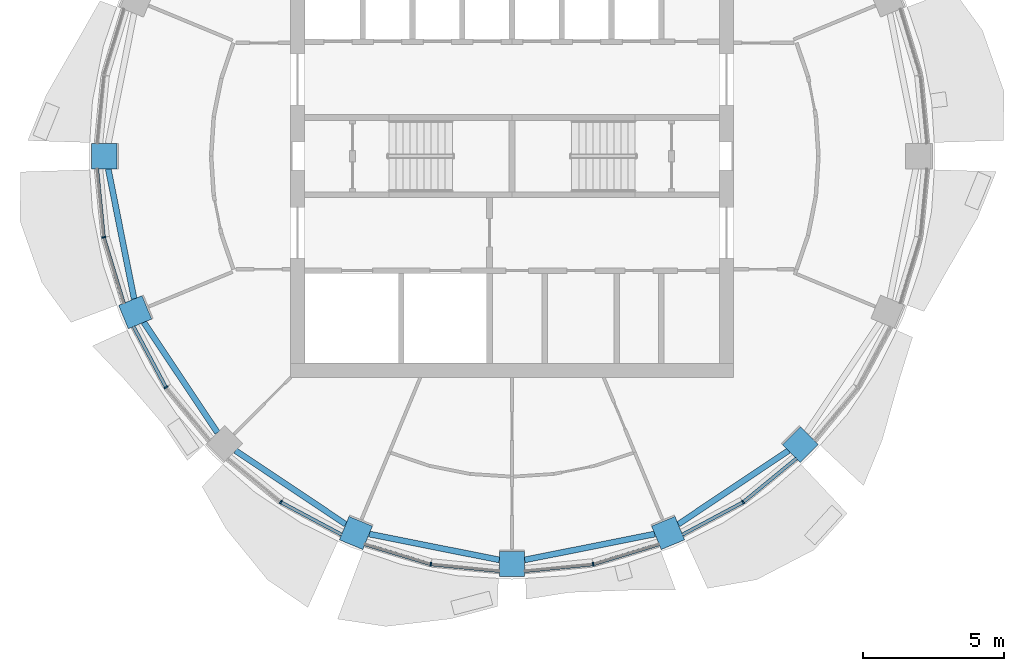
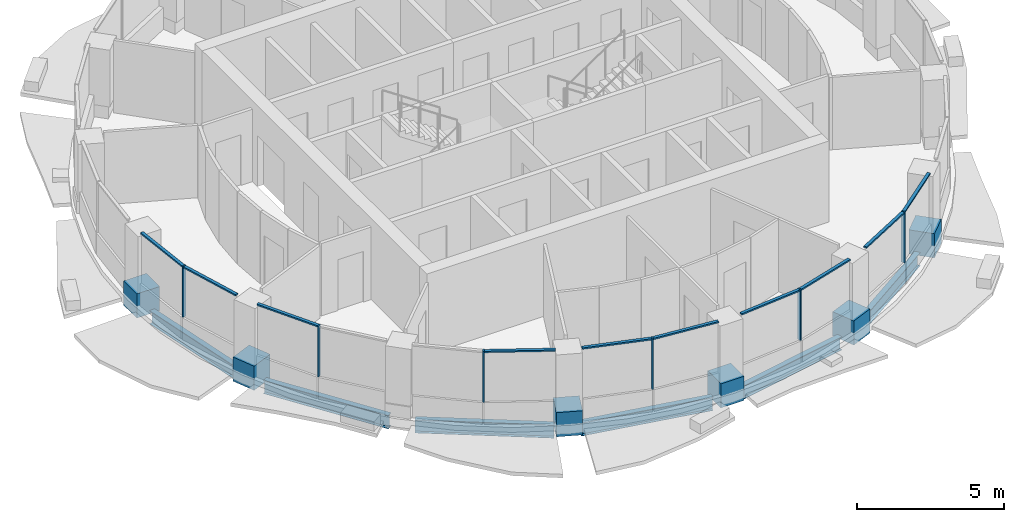
# One storey, part 2 of 14: 22 members, 6 beams, 6 elements without a shape of their own.
"""IFC4 building model written with IfcOpenShell, lengths in metres."""

from ifc_helpers import new_model, si_unit, direction, frame, origin, origin_2d, place, context, subcontext, project, spatial, rectangle, i_section, extrude, material, material_profile, profile_set, type_object, element, aggregate, save


model = new_model("IFC4")

# Units and contexts
model_context = context("Model", 3, precision=1e-05, world=origin(), true_north=direction((0.0, 1.0)))
body_context = subcontext(model_context, "Body", "Model", "MODEL_VIEW")
ifc_project = project(units=[si_unit("LENGTHUNIT", "METRE"), si_unit("AREAUNIT", "SQUARE_METRE"), si_unit("VOLUMEUNIT", "CUBIC_METRE"), si_unit("PLANEANGLEUNIT", "RADIAN"), si_unit("MASSUNIT", "GRAM", prefix="KILO")], contexts=[model_context])

# Site, building, storey
site_placement = place(None, origin())
site = spatial("IfcSite", under=ifc_project, at=site_placement, CompositionType="ELEMENT")
building_placement = place(site_placement, origin())
building = spatial("IfcBuilding", under=site, at=building_placement, Name="Polderwave Tower", CompositionType="ELEMENT")
storey_placement = place(building_placement, frame((0.0, 0.0, 227.85009765625)))
storey = spatial("IfcBuildingStorey", under=building, at=storey_placement, Name="L62", CompositionType="ELEMENT", Elevation=227.85009765625)

# Curtain wall, member
ifc_material_1 = material(Name="Aluminium 6063-T6 and glass", Category="aluminium")
curtain_wall_type = type_object("IfcCurtainWallType", Name="Office ribbon glazing wall", PredefinedType="NOTDEFINED", material=ifc_material_1)
curtain_wall_1_placement = place(storey_placement, origin())
curtain_wall_1 = element("IfcCurtainWall", 1, at=curtain_wall_1_placement, inside=storey, type_object=curtain_wall_type, Name="CW3 L62 08", PredefinedType="NOTDEFINED")
ifc_material_2 = material(Name="Aluminium 6063-T6", Category="aluminium")
ifc_material_profile_1 = material_profile(ifc_material_2, rectangle(XDim=0.139892578125, YDim=0.054931640625, at=origin_2d()), Name="AL 55x140")
ifc_profile_set_1 = profile_set([ifc_material_profile_1], Name="Aluminium 6063-T6")
member_type_1 = type_object("IfcMemberType", Name="Office ribbon glazing mullion 55x140", PredefinedType="MULLION", material=ifc_profile_set_1)
member_1_placement = place(storey_placement, frame((-14.51611328125, -2.886962890625, 0.89990234375), z_axis=(0.0, 0.0, 1.0), x_axis=(0.980788004282, 0.195076627651, 0.0)))
member_1 = element("IfcMember", 2, at=member_1_placement, type_object=member_type_1, Name="CW3 mullion 1", PredefinedType="MULLION", context=body_context, shape_type="SweptSolid", body=[
    extrude(rectangle(XDim=0.139892578125, YDim=0.054931640625, at=origin_2d()), origin(), (0.0, 0.0, 1.0), 2.10009765625),
])

curtain_wall_2_placement = place(storey_placement, origin())
curtain_wall_2 = element("IfcCurtainWall", 3, at=curtain_wall_2_placement, inside=storey, type_object=curtain_wall_type, Name="CW3 L62 09", PredefinedType="NOTDEFINED")
member_2_placement = place(storey_placement, frame((-12.305908203125, -8.221923828125, 0.89990234375), z_axis=(0.0, 0.0, 1.0), x_axis=(0.83150257904, 0.555520891641, 0.0)))
member_2 = element("IfcMember", 4, at=member_2_placement, type_object=member_type_1, Name="CW3 mullion 1", PredefinedType="MULLION", context=body_context, shape_type="SweptSolid", body=[
    extrude(rectangle(XDim=0.139892578125, YDim=0.054931640625, at=origin_2d()), origin(), (0.0, 0.0, 1.0), 2.10009765625),
])

curtain_wall_3_placement = place(storey_placement, origin())
curtain_wall_3 = element("IfcCurtainWall", 5, at=curtain_wall_3_placement, inside=storey, type_object=curtain_wall_type, Name="CW3 L62 10", PredefinedType="NOTDEFINED")
member_3_placement = place(storey_placement, frame((-8.221923828125, -12.305908203125, 0.89990234375), z_axis=(0.0, 0.0, 1.0), x_axis=(0.555520891641, 0.83150257904, 0.0)))
member_3 = element("IfcMember", 6, at=member_3_placement, type_object=member_type_1, Name="CW3 mullion 1", PredefinedType="MULLION", context=body_context, shape_type="SweptSolid", body=[
    extrude(rectangle(XDim=0.139892578125, YDim=0.054931640625, at=origin_2d()), origin(), (0.0, 0.0, 1.0), 2.10009765625),
])

curtain_wall_4_placement = place(storey_placement, origin())
curtain_wall_4 = element("IfcCurtainWall", 7, at=curtain_wall_4_placement, inside=storey, type_object=curtain_wall_type, Name="CW3 L62 11", PredefinedType="NOTDEFINED")
member_4_placement = place(storey_placement, frame((-2.886962890625, -14.51611328125, 0.89990234375), z_axis=(0.0, 0.0, 1.0), x_axis=(0.195076627651, 0.980788004282, 0.0)))
member_4 = element("IfcMember", 8, at=member_4_placement, type_object=member_type_1, Name="CW3 mullion 1", PredefinedType="MULLION", context=body_context, shape_type="SweptSolid", body=[
    extrude(rectangle(XDim=0.139892578125, YDim=0.054931640625, at=origin_2d()), origin(), (0.0, 0.0, 1.0), 2.10009765625),
])

curtain_wall_5_placement = place(storey_placement, origin())
curtain_wall_5 = element("IfcCurtainWall", 9, at=curtain_wall_5_placement, inside=storey, type_object=curtain_wall_type, Name="CW3 L62 12", PredefinedType="NOTDEFINED")
member_5_placement = place(storey_placement, frame((2.886962890625, -14.51611328125, 0.89990234375), z_axis=(0.0, 0.0, 1.0), x_axis=(-0.195076627651, 0.980788004282, 0.0)))
member_5 = element("IfcMember", 10, at=member_5_placement, type_object=member_type_1, Name="CW3 mullion 1", PredefinedType="MULLION", context=body_context, shape_type="SweptSolid", body=[
    extrude(rectangle(XDim=0.139892578125, YDim=0.054931640625, at=origin_2d()), origin(), (0.0, 0.0, 1.0), 2.10009765625),
])

curtain_wall_6_placement = place(storey_placement, origin())
curtain_wall_6 = element("IfcCurtainWall", 11, at=curtain_wall_6_placement, inside=storey, type_object=curtain_wall_type, Name="CW3 L62 13", PredefinedType="NOTDEFINED")
member_6_placement = place(storey_placement, frame((8.221923828125, -12.305908203125, 0.89990234375), z_axis=(0.0, 0.0, 1.0), x_axis=(-0.555520891641, 0.83150257904, 0.0)))
member_6 = element("IfcMember", 12, at=member_6_placement, type_object=member_type_1, Name="CW3 mullion 1", PredefinedType="MULLION", context=body_context, shape_type="SweptSolid", body=[
    extrude(rectangle(XDim=0.139892578125, YDim=0.054931640625, at=origin_2d()), origin(), (0.0, 0.0, 1.0), 2.10009765625),
])

# Member
ifc_material_profile_2 = material_profile(ifc_material_2, rectangle(XDim=0.1201171875, YDim=0.06005859375, at=origin_2d()), Name="AL 60x120")
ifc_profile_set_2 = profile_set([ifc_material_profile_2], Name="Aluminium 6063-T6")
member_type_2 = type_object("IfcMemberType", Name="Office ribbon glazing transom 60x120", PredefinedType="USERDEFINED", material=ifc_profile_set_2)
member_7_placement = place(storey_placement, frame((-14.756103515625, -0.449951171875, 2.969970703125), z_axis=(0.098006140559, -0.995185809994, 0.0), x_axis=(0.995185809994, 0.098006140559, 0.0)))
member_7 = element("IfcMember", 13, at=member_7_placement, type_object=member_type_2, Name="CW3 transom 1", ObjectType="TRANSOM", PredefinedType="USERDEFINED", context=body_context, shape_type="SweptSolid", body=[
    extrude(rectangle(XDim=0.1201171875, YDim=0.06005859375, at=origin_2d()), origin(), (0.0, 0.0, 1.0), 2.42138671875),
])

member_8_placement = place(storey_placement, frame((-14.508056640625, -2.913330078125, 2.969970703125), z_axis=(0.290315133049, -0.956931096539, 0.0), x_axis=(0.956931096539, 0.290315133049, 0.0)))
member_8 = element("IfcMember", 14, at=member_8_placement, type_object=member_type_2, Name="CW3 transom 2", ObjectType="TRANSOM", PredefinedType="USERDEFINED", context=body_context, shape_type="SweptSolid", body=[
    extrude(rectangle(XDim=0.1201171875, YDim=0.06005859375, at=origin_2d()), origin(), (0.0, 0.0, 1.0), 2.421875),
])

aggregate(curtain_wall_1, [member_1, member_7, member_8])

member_9_placement = place(storey_placement, frame((-13.4599609375, -6.06298828125, 2.969970703125), z_axis=(0.471336691944, -0.881953356379, 0.0), x_axis=(0.881953356379, 0.471336691944, 0.0)))
member_9 = element("IfcMember", 15, at=member_9_placement, type_object=member_type_2, Name="CW3 transom 1", ObjectType="TRANSOM", PredefinedType="USERDEFINED", context=body_context, shape_type="SweptSolid", body=[
    extrude(rectangle(XDim=0.1201171875, YDim=0.06005859375, at=origin_2d()), origin(), (0.0, 0.0, 1.0), 2.42041015625),
])

aggregate(curtain_wall_2, [member_2, member_9])

member_10_placement = place(storey_placement, frame((-8.19775390625, -12.319091796875, 2.969970703125), z_axis=(0.881953356379, -0.471336691944, 0.0), x_axis=(0.471336691944, 0.881953356379, 0.0)))
member_10 = element("IfcMember", 16, at=member_10_placement, type_object=member_type_2, Name="CW3 transom 2", ObjectType="TRANSOM", PredefinedType="USERDEFINED", context=body_context, shape_type="SweptSolid", body=[
    extrude(rectangle(XDim=0.1201171875, YDim=0.06005859375, at=origin_2d()), origin(), (0.0, 0.0, 1.0), 2.42041015625),
])

aggregate(curtain_wall_3, [member_3, member_10])

member_11_placement = place(storey_placement, frame((-5.23095703125, -13.804931640625, 2.969970703125), z_axis=(0.956931096539, -0.290315133049, 0.0), x_axis=(0.290315133049, 0.956931096539, 0.0)))
member_11 = element("IfcMember", 17, at=member_11_placement, type_object=member_type_2, Name="CW3 transom 1", ObjectType="TRANSOM", PredefinedType="USERDEFINED", context=body_context, shape_type="SweptSolid", body=[
    extrude(rectangle(XDim=0.1201171875, YDim=0.06005859375, at=origin_2d()), origin(), (0.0, 0.0, 1.0), 2.421875),
])

member_12_placement = place(storey_placement, frame((-2.859619140625, -14.518798828125, 2.969970703125), z_axis=(0.995185809994, -0.098006140559, 0.0), x_axis=(0.098006140559, 0.995185809994, 0.0)))
member_12 = element("IfcMember", 18, at=member_12_placement, type_object=member_type_2, Name="CW3 transom 2", ObjectType="TRANSOM", PredefinedType="USERDEFINED", context=body_context, shape_type="SweptSolid", body=[
    extrude(rectangle(XDim=0.1201171875, YDim=0.06005859375, at=origin_2d()), origin(), (0.0, 0.0, 1.0), 2.42138671875),
])

aggregate(curtain_wall_4, [member_4, member_11, member_12])

member_13_placement = place(storey_placement, frame((0.449951171875, -14.756103515625, 2.969970703125), z_axis=(0.995185809994, 0.098006140559, 0.0), x_axis=(-0.098006140559, 0.995185809994, 0.0)))
member_13 = element("IfcMember", 19, at=member_13_placement, type_object=member_type_2, Name="CW3 transom 1", ObjectType="TRANSOM", PredefinedType="USERDEFINED", context=body_context, shape_type="SweptSolid", body=[
    extrude(rectangle(XDim=0.1201171875, YDim=0.06005859375, at=origin_2d()), origin(), (0.0, 0.0, 1.0), 2.42138671875),
])

member_14_placement = place(storey_placement, frame((2.913330078125, -14.508056640625, 2.969970703125), z_axis=(0.956931096539, 0.290315133049, 0.0), x_axis=(-0.290315133049, 0.956931096539, 0.0)))
member_14 = element("IfcMember", 20, at=member_14_placement, type_object=member_type_2, Name="CW3 transom 2", ObjectType="TRANSOM", PredefinedType="USERDEFINED", context=body_context, shape_type="SweptSolid", body=[
    extrude(rectangle(XDim=0.1201171875, YDim=0.06005859375, at=origin_2d()), origin(), (0.0, 0.0, 1.0), 2.421875),
])

aggregate(curtain_wall_5, [member_5, member_13, member_14])

member_15_placement = place(storey_placement, frame((6.06298828125, -13.4599609375, 2.969970703125), z_axis=(0.881953356379, 0.471336691944, 0.0), x_axis=(-0.471336691944, 0.881953356379, 0.0)))
member_15 = element("IfcMember", 21, at=member_15_placement, type_object=member_type_2, Name="CW3 transom 1", ObjectType="TRANSOM", PredefinedType="USERDEFINED", context=body_context, shape_type="SweptSolid", body=[
    extrude(rectangle(XDim=0.1201171875, YDim=0.06005859375, at=origin_2d()), origin(), (0.0, 0.0, 1.0), 2.42041015625),
])

member_16_placement = place(storey_placement, frame((8.243408203125, -12.28857421875, 2.969970703125), z_axis=(0.773040420429, 0.634356767429, 0.0), x_axis=(-0.634356767429, 0.773040420429, 0.0)))
member_16 = element("IfcMember", 22, at=member_16_placement, type_object=member_type_2, Name="CW3 transom 2", ObjectType="TRANSOM", PredefinedType="USERDEFINED", context=body_context, shape_type="SweptSolid", body=[
    extrude(rectangle(XDim=0.1201171875, YDim=0.06005859375, at=origin_2d()), origin(), (0.0, 0.0, 1.0), 2.42236328125),
])

aggregate(curtain_wall_6, [member_6, member_15, member_16])

# Members
ifc_material_3 = material(Name="Concrete C60/75", Category="concrete")
ifc_material_profile_3 = material_profile(ifc_material_3, rectangle(XDim=0.89990234375, YDim=0.89990234375, at=origin_2d()), Name="RC 900x900")
ifc_profile_set_3 = profile_set([ifc_material_profile_3], Name="Concrete C60/75")
member_type_3 = type_object("IfcMemberType", Name="RC NODE 900x900 C60/75", PredefinedType="POST", material=ifc_profile_set_3)
for number, where, z_axis, x_axis, name in (
    (23, (-14.505859375, 0.0, -0.5), (0.0, 0.0, 1.0), (-1.0, 0.0, 0.0), "Ring column node 09"),
    (24, (-13.40185546875, -5.55126953125, -0.5), (0.0, 0.0, 1.0), (-0.923879532511, -0.382683432365, 0.0), "Ring column node 10"),
    (25, (-5.55126953125, -13.40185546875, -0.5), (0.0, 0.0, 1.0), (-0.382683432365, -0.923879532511, 0.0), "Ring column node 12"),
    (26, (0.0, -14.505859375, -0.5), (0.0, 0.0, 1.0), (0.0, -1.0, 0.0), "Ring column node 13"),
    (27, (5.55126953125, -13.40185546875, -0.5), (0.0, 0.0, 1.0), (0.382683432365, -0.923879532511, 0.0), "Ring column node 14"),
    (28, (10.25732421875, -10.25732421875, -0.5), (0.0, 0.0, 1.0), (0.707106781187, -0.707106781187, 0.0), "Ring column node 15"),
):
    element("IfcMember", number, at=place(storey_placement, frame(where, z_axis=z_axis, x_axis=x_axis)), inside=storey, type_object=member_type_3, Name=name, PredefinedType="POST", context=body_context, shape_type="SweptSolid", body=[
        extrude(rectangle(XDim=0.89990234375, YDim=0.89990234375, at=origin_2d()), origin(), (0.0, 0.0, 1.0), 1.0),
    ])

# Beams
ifc_material_4 = material(Name="Steel S355", Category="steel")
ifc_material_profile_4 = material_profile(ifc_material_4, i_section(OverallWidth=0.2099609375, OverallDepth=0.550048828125, WebThickness=0.010986328125, FlangeThickness=0.01708984375, at=origin_2d()), Name="IPE 550")
ifc_profile_set_4 = profile_set([ifc_material_profile_4], Name="Steel S355")
beam_type = type_object("IfcBeamType", Name="RING BEAM IPE 550", PredefinedType="BEAM", material=ifc_profile_set_4)
beam_1_placement = place(storey_placement, frame((-14.360595703125, -0.449951171875, -0.625), z_axis=(0.195131408172, -0.980777106964, 0.0), x_axis=(0.980777106964, 0.195131408172, 0.0)))
element("IfcBeam", 29, at=beam_1_placement, inside=storey, type_object=beam_type, Name="ST-RB-L62-08", PredefinedType="BEAM", context=body_context, shape_type="SweptSolid", body=[
    extrude(i_section(OverallWidth=0.2099609375, OverallDepth=0.550048828125, WebThickness=0.010986328125, FlangeThickness=0.01708984375, at=origin_2d()), origin(), (0.0, 0.0, 1.0), 4.720703125),
])
for number, where, z_axis, x_axis, name in (
    (30, (-13.09521484375, -5.911376953125, -0.625), (0.555583113094, -0.831461005968, 0.0), (0.831461005968, 0.555583113094, 0.0), "ST-RB-L62-09"),
    (31, (-9.836181640625, -10.47265625, -0.625), (0.831461005968, -0.555583113094, 0.0), (0.555583113094, 0.831461005968, 0.0), "ST-RB-L62-10"),
):
    element("IfcBeam", number, at=place(storey_placement, frame(where, z_axis=z_axis, x_axis=x_axis)), inside=storey, type_object=beam_type, Name=name, PredefinedType="BEAM", context=body_context, shape_type="SweptSolid", body=[
        extrude(i_section(OverallWidth=0.2099609375, OverallDepth=0.550048828125, WebThickness=0.010986328125, FlangeThickness=0.01708984375, at=origin_2d()), origin(), (0.0, 0.0, 1.0), 4.720458984375),
    ])
for number, where, z_axis, x_axis, name in (
    (32, (-5.079833984375, -13.439453125, -0.625), (0.980777106964, -0.195131408172, 0.0), (0.195131408172, 0.980777106964, 0.0), "ST-RB-L62-11"),
    (33, (0.449951171875, -14.360595703125, -0.625), (0.980777106964, 0.195131408172, 0.0), (-0.195131408172, 0.980777106964, 0.0), "ST-RB-L62-12"),
):
    element("IfcBeam", number, at=place(storey_placement, frame(where, z_axis=z_axis, x_axis=x_axis)), inside=storey, type_object=beam_type, Name=name, PredefinedType="BEAM", context=body_context, shape_type="SweptSolid", body=[
        extrude(i_section(OverallWidth=0.2099609375, OverallDepth=0.550048828125, WebThickness=0.010986328125, FlangeThickness=0.01708984375, at=origin_2d()), origin(), (0.0, 0.0, 1.0), 4.720703125),
    ])
beam_2_placement = place(storey_placement, frame((5.911376953125, -13.09521484375, -0.625), z_axis=(0.831461005968, 0.555583113094, 0.0), x_axis=(-0.555583113094, 0.831461005968, 0.0)))
element("IfcBeam", 34, at=beam_2_placement, inside=storey, type_object=beam_type, Name="ST-RB-L62-13", PredefinedType="BEAM", context=body_context, shape_type="SweptSolid", body=[
    extrude(i_section(OverallWidth=0.2099609375, OverallDepth=0.550048828125, WebThickness=0.010986328125, FlangeThickness=0.01708984375, at=origin_2d()), origin(), (0.0, 0.0, 1.0), 4.720458984375),
])

save(model, "model.ifc")
